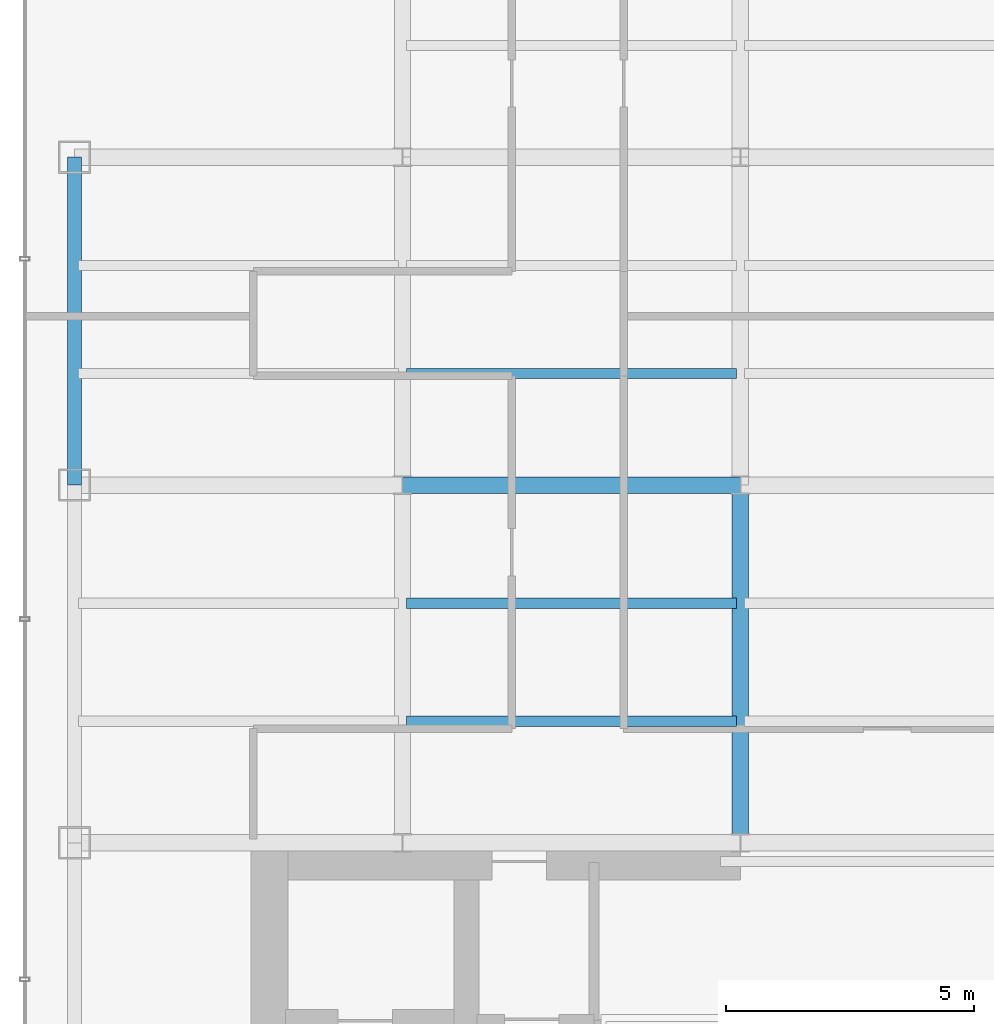
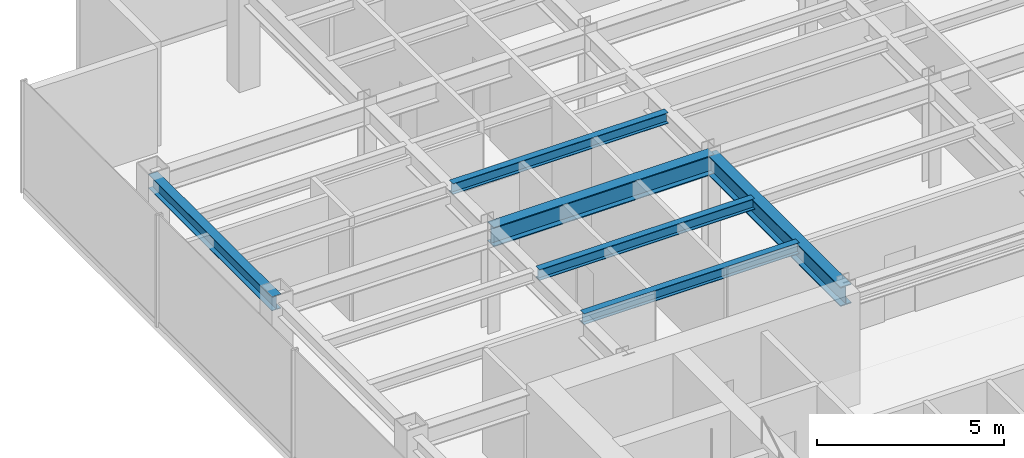
# One storey, part 6 of 25: 6 beams.
"""IFC4 building model written with IfcOpenShell, lengths in metres."""

import ifcopenshell
import ifcopenshell.guid

model = None  # the IFC model being written
_history = None  # IfcOwnerHistory: only IFC2X3 demands one
_inside = {}  # id of a spatial element -> (the spatial element, [elements in it])
_under = {}  # id of a project, library or spatial element -> (it, [spatial elements below it])
_declared = {}  # id of a project -> (the project, [libraries it declares])
_typed = {}  # id of a type object -> (the type object, [elements of that type])
_made_of = {}  # id of a material, layer set ... -> (it, [elements and type objects made of it])


def new_model(schema):
    """Start an empty IFC model of exactly this schema.

    Asked for "IFC4X3", IfcOpenShell would pick the latest addendum, in which some entities
    have other attributes; the version numbers below select the first issue.
    IFC2X3 requires an IfcOwnerHistory on every rooted entity: one is made here for all.
    """
    global model, _history
    if schema == "IFC4X3":
        model = ifcopenshell.file(schema_version=(4, 3, 0, 0))
    else:
        model = ifcopenshell.file(schema=schema)
    _inside.clear()
    _under.clear()
    _declared.clear()
    _typed.clear()
    _made_of.clear()
    _history = None
    if model.schema == "IFC2X3":
        org = make("IfcOrganization", Name="unknown")
        user = make(
            "IfcPersonAndOrganization",
            ThePerson=make("IfcPerson", FamilyName="unknown"),
            TheOrganization=org,
        )
        app = make(
            "IfcApplication",
            ApplicationDeveloper=org,
            Version="unknown",
            ApplicationFullName="unknown",
            ApplicationIdentifier="unknown",
        )
        _history = make(
            "IfcOwnerHistory",
            OwningUser=user,
            OwningApplication=app,
            ChangeAction="ADDED",
            CreationDate=0,
        )
    return model


def make(cls, **values):
    """One entity of the class cls with the attributes given. An attribute that is None is left unset."""
    return model.create_entity(
        cls, **{name: value for name, value in values.items() if value is not None}
    )


def rooted(cls, **values):
    """An entity with a GlobalId (a new one), such as an element, a storey or a relation."""
    return make(cls, GlobalId=ifcopenshell.guid.new(), OwnerHistory=_history, **values)


def si_unit(unit_type, name, prefix=None):
    """IfcSIUnit, for example si_unit("LENGTHUNIT", "METRE", prefix="MILLI")."""
    return make("IfcSIUnit", UnitType=unit_type, Prefix=prefix, Name=name)


def derived_unit(unit_type, elements):
    """IfcDerivedUnit: a product of units, each with its exponent."""
    return make(
        "IfcDerivedUnit",
        Elements=[
            make("IfcDerivedUnitElement", Unit=unit, Exponent=power)
            for unit, power in elements
        ],
        UnitType=unit_type,
    )


def assignment(units):
    """IfcUnitAssignment: the units of a project."""
    return None if units is None else make("IfcUnitAssignment", Units=units)


def point(xyz):
    """IfcCartesianPoint."""
    return None if xyz is None else make("IfcCartesianPoint", Coordinates=xyz)


def direction(xyz):
    """IfcDirection."""
    return None if xyz is None else make("IfcDirection", DirectionRatios=xyz)


def frame(location, z_axis=None, x_axis=None):
    """IfcAxis2Placement3D, a coordinate frame: its origin and axes. An axis left out is left unset."""
    return make(
        "IfcAxis2Placement3D",
        Location=point(location),
        Axis=direction(z_axis),
        RefDirection=direction(x_axis),
    )


def frame_2d(location, x_axis=None):
    """IfcAxis2Placement2D, a coordinate frame in the plane: its origin and x axis."""
    return make(
        "IfcAxis2Placement2D", Location=point(location), RefDirection=direction(x_axis)
    )


def origin():
    """The frame at (0, 0, 0) with its axes left unset."""
    return frame((0.0, 0.0, 0.0))


def origin_2d():
    """The frame at (0, 0) in the plane with its x axis left unset."""
    return frame_2d((0.0, 0.0))


def place(relative_to, where):
    """IfcLocalPlacement: puts the frame where relative to a parent placement (None: the world)."""
    return make(
        "IfcLocalPlacement", PlacementRelTo=relative_to, RelativePlacement=where
    )


def context(
    kind, dimensions, precision=None, world=None, true_north=None, identifier=None
):
    """IfcGeometricRepresentationContext, for example the 3D "Model" context."""
    return make(
        "IfcGeometricRepresentationContext",
        ContextIdentifier=identifier,
        ContextType=kind,
        CoordinateSpaceDimension=dimensions,
        Precision=precision,
        WorldCoordinateSystem=world,
        TrueNorth=true_north,
    )


def subcontext(parent, identifier, kind, view, scale=None):
    """IfcGeometricRepresentationSubContext, for example "Body" below "Model"."""
    return make(
        "IfcGeometricRepresentationSubContext",
        ContextIdentifier=identifier,
        ContextType=kind,
        ParentContext=parent,
        TargetScale=scale,
        TargetView=view,
    )


def project(units=None, contexts=None):
    """IfcProject with its units and contexts."""
    return rooted(
        "IfcProject",
        Name="project",
        RepresentationContexts=contexts,
        UnitsInContext=assignment(units),
    )


def spatial(cls, under=None, at=None, **own):
    """A site, building, storey or space (cls), placed at a placement, below another one or the project."""
    s = rooted(cls, ObjectPlacement=at, **own)
    if under is not None:
        _under.setdefault(under.id(), (under, []))[1].append(s)
    return s


def profile(cls, at=None, kind="AREA", **sizes):
    """A parametric profile (cls). Its sizes go by their IFC names, for example OverallWidth=200.0."""
    return make(cls, ProfileType=kind, Position=at, **sizes)


def i_section(**sizes):
    """IfcIShapeProfileDef."""
    return profile("IfcIShapeProfileDef", **sizes)


def extrude(swept, where, along, depth):
    """IfcExtrudedAreaSolid: the profile swept, set in the frame where, extruded along a direction by depth."""
    return make(
        "IfcExtrudedAreaSolid",
        SweptArea=swept,
        Position=where,
        ExtrudedDirection=direction(along),
        Depth=depth,
    )


def shape(context_of_items, identifier, shape_type, items):
    """IfcShapeRepresentation: the items that make up one representation, for example the "Body"."""
    return make(
        "IfcShapeRepresentation",
        ContextOfItems=context_of_items,
        RepresentationIdentifier=identifier,
        RepresentationType=shape_type,
        Items=items,
    )


def source(mapping_origin, context_of_items, identifier, shape_type, items):
    """IfcRepresentationMap: a shape defined once, which mapped items show again and again."""
    return make(
        "IfcRepresentationMap",
        MappingOrigin=mapping_origin,
        MappedRepresentation=shape(context_of_items, identifier, shape_type, items),
    )


def transform(
    local_origin,
    x_axis=None,
    y_axis=None,
    z_axis=None,
    scale=None,
    scale2=None,
    scale3=None,
    uniform=True,
):
    """IfcCartesianTransformationOperator3D, or its non-uniform kind. x_axis, y_axis, z_axis: its Axis1, 2, 3."""
    if uniform:
        return make(
            "IfcCartesianTransformationOperator3D",
            Axis1=direction(x_axis),
            Axis2=direction(y_axis),
            LocalOrigin=point(local_origin),
            Scale=scale,
            Axis3=direction(z_axis),
        )
    return make(
        "IfcCartesianTransformationOperator3DnonUniform",
        Axis1=direction(x_axis),
        Axis2=direction(y_axis),
        LocalOrigin=point(local_origin),
        Scale=scale,
        Axis3=direction(z_axis),
        Scale2=scale2,
        Scale3=scale3,
    )


def mapped(mapping_source, mapping_target):
    """IfcMappedItem: shows the shape of a source again, moved by a transform."""
    return make(
        "IfcMappedItem", MappingSource=mapping_source, MappingTarget=mapping_target
    )


def material(Name=None, Category=None):
    """IfcMaterial."""
    return make("IfcMaterial", Name=Name, Category=Category)


def material_profile(
    of_material, cross_section, Name=None, Category=None, Priority=None
):
    """IfcMaterialProfile: a cross section and its material."""
    return make(
        "IfcMaterialProfile",
        Name=Name,
        Material=of_material,
        Profile=cross_section,
        Priority=Priority,
        Category=Category,
    )


def profile_set(profiles, Name=None, composite=None):
    """IfcMaterialProfileSet."""
    return make(
        "IfcMaterialProfileSet",
        Name=Name,
        MaterialProfiles=profiles,
        CompositeProfile=composite,
    )


def made_of(thing, what):
    """Note that an element or type object is made of a material, layer set ...; save() writes the relation."""
    if what is not None:
        _made_of.setdefault(what.id(), (what, []))[1].append(thing)
    return thing


def type_object(cls, material=None, **own):
    """A type object (cls), such as IfcWallType, which elements share."""
    return made_of(rooted(cls, **own), material)


def element(
    cls,
    number,
    at=None,
    inside=None,
    cuts=None,
    type_object=None,
    material=None,
    context=None,
    identifier="Body",
    shape_type=None,
    held_by="IfcProductDefinitionShape",
    body=None,
    shapes=None,
    **own,
):
    """One element of the class cls, such as IfcWall. Its Tag is "e" and its number.

    at: its placement. inside: the storey or other place that contains it. cuts: it is an
    opening in that element (IfcRelVoidsElement). A single representation is given by context,
    identifier, shape_type and body (its items); several are given by shapes. held_by: the class
    of the entity that holds the representations. save() writes the other relations.
    """
    e = rooted(cls, Tag="e%d" % number, ObjectPlacement=at, **own)
    if body is not None:
        shapes = [shape(context, identifier, shape_type, body)]
    if shapes is not None:
        e.Representation = make(held_by, Representations=shapes)
    if inside is not None:
        _inside.setdefault(inside.id(), (inside, []))[1].append(e)
    if cuts is not None:
        rooted(
            "IfcRelVoidsElement", RelatingBuildingElement=cuts, RelatedOpeningElement=e
        )
    if type_object is not None:
        _typed.setdefault(type_object.id(), (type_object, []))[1].append(e)
    return made_of(e, material)


def aggregate(whole, parts):
    """IfcRelAggregates: a whole, such as a stair, and the parts it consists of."""
    return rooted("IfcRelAggregates", RelatingObject=whole, RelatedObjects=parts)


def save(model, path):
    """Write the relations noted so far, then the file.

    IfcRelAggregates (storeys below a building ...), IfcRelContainedInSpatialStructure (elements
    in a storey), IfcRelDefinesByType, IfcRelAssociatesMaterial and IfcRelDeclares: one each for
    every whole, place, type object, material and project.
    """
    for whole, parts in _under.values():
        aggregate(whole, parts)
    for where, things in _inside.values():
        rooted(
            "IfcRelContainedInSpatialStructure",
            RelatedElements=things,
            RelatingStructure=where,
        )
    for kind, things in _typed.values():
        rooted("IfcRelDefinesByType", RelatedObjects=things, RelatingType=kind)
    for what, things in _made_of.values():
        rooted("IfcRelAssociatesMaterial", RelatedObjects=things, RelatingMaterial=what)
    for by, libraries in _declared.values():
        rooted("IfcRelDeclares", RelatingContext=by, RelatedDefinitions=libraries)
    model.write(path)


model = new_model("IFC4")

# Units and contexts
model_context = context("Model", 3, precision=1e-05, world=origin(), true_north=direction((0.0, 1.0)))
body_context = subcontext(model_context, "Body", "Model", "MODEL_VIEW")
ifc_project = project(units=[si_unit("LENGTHUNIT", "METRE"), si_unit("AREAUNIT", "SQUARE_METRE"), si_unit("VOLUMEUNIT", "CUBIC_METRE"), si_unit("PLANEANGLEUNIT", "RADIAN"), si_unit("MASSUNIT", "GRAM", prefix="KILO"), derived_unit("THERMALTRANSMITTANCEUNIT", [(si_unit("POWERUNIT", "WATT"), 1), (si_unit("LENGTHUNIT", "METRE"), -2), (si_unit("THERMODYNAMICTEMPERATUREUNIT", "KELVIN"), -1)])], contexts=[model_context])

# Site, building, storey
site_placement = place(None, origin())
site = spatial("IfcSite", under=ifc_project, at=site_placement, CompositionType="ELEMENT")
building_placement = place(site_placement, origin())
building = spatial("IfcBuilding", under=site, at=building_placement, Name="Skarnbrae Concourse Arena and Tower", CompositionType="ELEMENT")
storey_placement = place(building_placement, frame((0.0, 0.0, 155.199951171875)))
storey = spatial("IfcBuildingStorey", under=building, at=storey_placement, Name="L39", CompositionType="ELEMENT", Elevation=155.199951171875)

# Beams
ifc_material = material(Name="Steel CSA G40.21 350W", Category="steel")
ifc_material_profile_1 = material_profile(ifc_material, i_section(OverallWidth=0.3291015625, OverallDepth=0.635009765625, WebThickness=0.017822265625, FlangeThickness=0.031005859375, at=origin_2d()), Name="W610X241")
ifc_profile_set_1 = profile_set([ifc_material_profile_1], Name="Steel CSA G40.21 350W")
beam_type_1 = type_object("IfcBeamType", Name="BM-GIRD-W610X241", PredefinedType="BEAM", material=ifc_profile_set_1)
shared_shape_1 = source(origin(), body_context, "Body", "SweptSolid", [
    extrude(i_section(OverallWidth=0.3291015625, OverallDepth=0.635009765625, WebThickness=0.017822265625, FlangeThickness=0.031005859375, at=origin_2d()), origin(), (0.0, 0.0, 1.0), 6.7998046875),
])
beam_1_placement = place(storey_placement, frame((7.60009765625, 21.199951171875, 3.08251953125), z_axis=(1.0, 0.0, 0.0), x_axis=(0.0, 1.0, 0.0)))
element("IfcBeam", 1, at=beam_1_placement, inside=storey, type_object=beam_type_1, Name="L39 Primary E-W girder Y21.2-2", PredefinedType="BEAM", context=body_context, shape_type="MappedRepresentation", body=[
    mapped(shared_shape_1, transform((0.0, 0.0, 0.0))),
])
ifc_material_profile_2 = material_profile(ifc_material, i_section(OverallWidth=0.280029296875, OverallDepth=0.462890625, WebThickness=0.0107421875, FlangeThickness=0.017333984375, at=origin_2d()), Name="W460X113")
ifc_profile_set_2 = profile_set([ifc_material_profile_2], Name="Steel CSA G40.21 350W")
beam_type_2 = type_object("IfcBeamType", Name="BM-SPAN-W460X113", PredefinedType="SPANDREL", material=ifc_profile_set_2)
shared_shape_2 = source(origin(), body_context, "Body", "SweptSolid", [
    extrude(i_section(OverallWidth=0.280029296875, OverallDepth=0.462890625, WebThickness=0.0107421875, FlangeThickness=0.017333984375, at=origin_2d()), origin(), (0.0, 0.0, 1.0), 6.60009765625),
])
beam_2_placement = place(storey_placement, frame((1.0, 21.199951171875, 3.16845703125), z_axis=(0.0, 1.0, 0.0), x_axis=(-1.0, 0.0, 0.0)))
element("IfcBeam", 2, at=beam_2_placement, inside=storey, type_object=beam_type_2, Name="L39 Perimeter spandrel X1.0-3", PredefinedType="SPANDREL", context=body_context, shape_type="MappedRepresentation", body=[
    mapped(shared_shape_2, transform((0.0, 0.0, 0.0))),
])
shared_shape_3 = source(origin(), body_context, "Body", "SweptSolid", [
    extrude(i_section(OverallWidth=0.3291015625, OverallDepth=0.635009765625, WebThickness=0.017822265625, FlangeThickness=0.031005859375, at=origin_2d()), origin(), (0.0, 0.0, 1.0), 7.199951171875),
])
beam_3_placement = place(storey_placement, frame((14.39990234375, 14.0, 3.08251953125), z_axis=(0.0, 1.0, 0.0), x_axis=(-1.0, 0.0, 0.0)))
element("IfcBeam", 3, at=beam_3_placement, inside=storey, type_object=beam_type_1, Name="L39 Primary N-S girder X14.4-1", PredefinedType="BEAM", context=body_context, shape_type="MappedRepresentation", body=[
    mapped(shared_shape_3, transform((0.0, 0.0, 0.0))),
])
ifc_material_profile_3 = material_profile(ifc_material, i_section(OverallWidth=0.205078125, OverallDepth=0.35400390625, WebThickness=0.009521484375, FlangeThickness=0.016845703125, at=origin_2d()), Name="W360X79")
ifc_profile_set_3 = profile_set([ifc_material_profile_3], Name="Steel CSA G40.21 350W")
beam_type_3 = type_object("IfcBeamType", Name="BM-JOIST-W360X79", PredefinedType="JOIST", material=ifc_profile_set_3)
shared_shape_4 = source(origin(), body_context, "Body", "SweptSolid", [
    extrude(i_section(OverallWidth=0.205078125, OverallDepth=0.35400390625, WebThickness=0.009521484375, FlangeThickness=0.016845703125, at=origin_2d()), origin(), (0.0, 0.0, 1.0), 6.64013671875),
])
for number, where, z_axis, x_axis, name in (
    (4, (7.679931640625, 16.447998046875, 3.22314453125), (1.0, 0.0, 0.0), (0.0, 1.0, 0.0), "L39 Secondary floor joist 1.1.2"),
    (5, (7.679931640625, 18.823974609375, 3.22314453125), (1.0, 0.0, 0.0), (0.0, 1.0, 0.0), "L39 Secondary floor joist 1.2.2"),
    (6, (7.679931640625, 23.444091796875, 3.22314453125), (1.0, 0.0, 0.0), (0.0, 1.0, 0.0), "L39 Secondary floor joist 2.1.2"),
):
    element("IfcBeam", number, at=place(storey_placement, frame(where, z_axis=z_axis, x_axis=x_axis)), inside=storey, type_object=beam_type_3, Name=name, PredefinedType="JOIST", context=body_context, shape_type="MappedRepresentation", body=[
        mapped(shared_shape_4, transform((0.0, 0.0, 0.0))),
    ])

save(model, "model.ifc")
